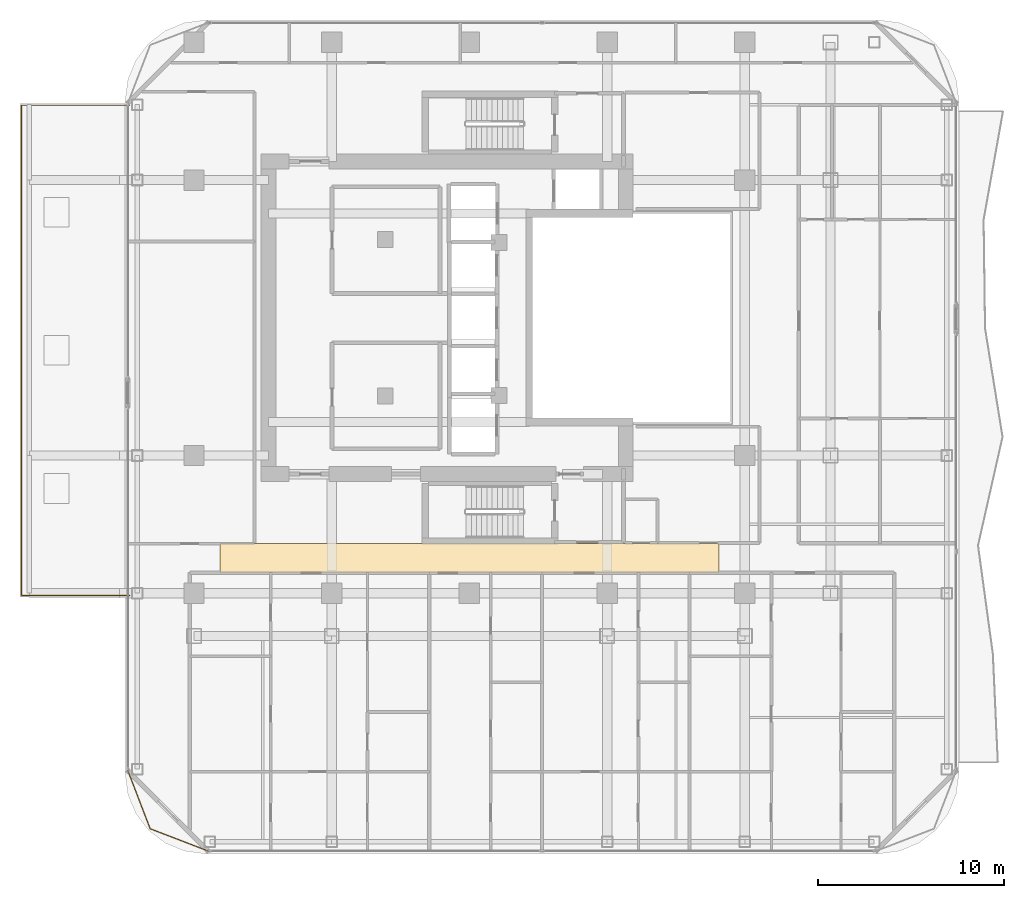
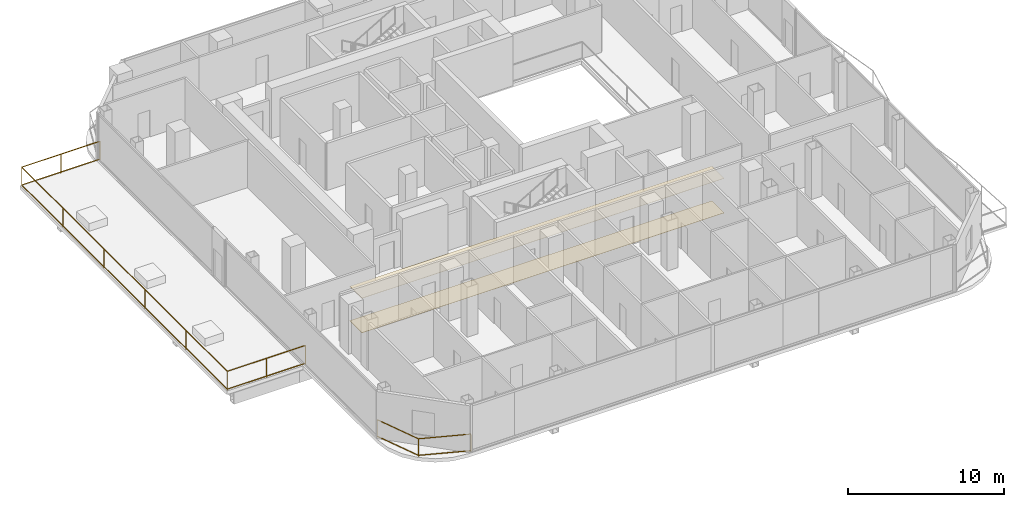
# One storey, part 24 of 26: 2 coverings, 2 railings.
"""IFC4 building model written with IfcOpenShell, lengths in metres."""

from ifc_helpers import new_model, si_unit, direction, frame, origin, origin_2d, place, context, subcontext, project, spatial, polyline, rectangle, outline, extrude, material, layer, layer_set, type_object, element, save


model = new_model("IFC4")

# Units and contexts
model_context = context("Model", 3, precision=1e-05, world=origin(), true_north=direction((0.0, 1.0)))
body_context = subcontext(model_context, "Body", "Model", "MODEL_VIEW")
ifc_project = project(units=[si_unit("LENGTHUNIT", "METRE"), si_unit("AREAUNIT", "SQUARE_METRE"), si_unit("VOLUMEUNIT", "CUBIC_METRE"), si_unit("PLANEANGLEUNIT", "RADIAN"), si_unit("MASSUNIT", "GRAM", prefix="KILO")], contexts=[model_context])

# Site, building, storey
site_placement = place(None, origin())
site = spatial("IfcSite", under=ifc_project, at=site_placement, CompositionType="ELEMENT")
building_placement = place(site_placement, origin())
building = spatial("IfcBuilding", under=site, at=building_placement, Name="Khorvyn Point Tower", CompositionType="ELEMENT")
storey_placement = place(building_placement, frame((0.0, 0.0, 219.60009765625)))
storey = spatial("IfcBuildingStorey", under=building, at=storey_placement, Name="L54", CompositionType="ELEMENT", Elevation=219.60009765625)

# Railing
ifc_material_1 = material(Name="Anodised aluminium 6063-T6 and laminated safety glass", Category="aluminium")
railing_type_1 = type_object("IfcRailingType", Name="Laminated Glass and Aluminium Balcony Guardrail 1400", PredefinedType="BALUSTRADE", material=ifc_material_1)
railing_1_placement = place(storey_placement, frame((-18.374267578125, -24.28125, 0.0)))
element("IfcRailing", 1, at=railing_1_placement, inside=storey, type_object=railing_type_1, Name="L54 Rounded Corner Edge Guardrail SW", PredefinedType="BALUSTRADE", context=body_context, shape_type="SweptSolid", body=[
    extrude(rectangle(XDim=0.048095703125, YDim=0.048095703125, at=origin_2d()), frame((0.0, 0.0, 1.3759765625), z_axis=(0.358343916815, -0.933589651443, 0.0), x_axis=(0.933589651443, 0.358343916815, 0.0)), (0.0, 0.0, 1.0), 3.400390625),
    extrude(rectangle(XDim=0.048095703125, YDim=0.048095703125, at=origin_2d()), frame((0.0, 0.0, 0.080078125), z_axis=(0.358343916815, -0.933589651443, 0.0), x_axis=(0.933589651443, 0.358343916815, 0.0)), (0.0, 0.0, 1.0), 3.400390625),
    extrude(rectangle(XDim=0.048095703125, YDim=0.048095703125, at=origin_2d()), frame((1.218505859375, -3.174560546875, 1.3759765625), z_axis=(0.933589651443, -0.358343916815, 0.0), x_axis=(0.358343916815, 0.933589651443, 0.0)), (0.0, 0.0, 1.0), 3.400390625),
    extrude(rectangle(XDim=0.048095703125, YDim=0.048095703125, at=origin_2d()), frame((1.218505859375, -3.174560546875, 0.080078125), z_axis=(0.933589651443, -0.358343916815, 0.0), x_axis=(0.358343916815, 0.933589651443, 0.0)), (0.0, 0.0, 1.0), 3.400390625),
    extrude(rectangle(XDim=0.0419921875, YDim=0.0419921875, at=origin_2d()), origin(), (0.0, 0.0, 1.0), 1.351806640625),
    extrude(rectangle(XDim=0.0419921875, YDim=0.0419921875, at=origin_2d()), frame((1.218505859375, -3.174560546875, 0.0)), (0.0, 0.0, 1.0), 1.351806640625),
    extrude(rectangle(XDim=0.0419921875, YDim=0.0419921875, at=origin_2d()), frame((4.39306640625, -4.39306640625, 0.0)), (0.0, 0.0, 1.0), 1.351806640625),
])

# Coverings
ifc_material_2 = material(Name="Mineral-fibre acoustic ceiling board", Category="gypsum")
ifc_layer_1 = layer(ifc_material_2, 0.02001953125)
ifc_layer_set_1 = layer_set([ifc_layer_1], Name="Perforated Mineral-Fibre Acoustic Suspended Ceiling 20")
covering_type_1 = type_object("IfcCoveringType", Name="Perforated Mineral-Fibre Acoustic Suspended Ceiling 20", PredefinedType="CEILING", material=ifc_layer_set_1)
covering_1_placement = place(storey_placement, frame((0.0, 0.0, 2.699951171875)))
element("IfcCovering", 2, at=covering_1_placement, inside=storey, type_object=covering_type_1, Name="L54 South Corridor Acoustic Ceiling", PredefinedType="CEILING", context=body_context, shape_type="SweptSolid", body=[
    extrude(outline(polyline([(-13.39990234375, -13.7099609375), (13.39990234375, -13.7099609375), (13.39990234375, -12.139892578125), (-13.39990234375, -12.139892578125), (-13.39990234375, -13.7099609375)])), origin(), (0.0, 0.0, 1.0), 0.02001953125),
])
ifc_material_3 = material(Name="Vitrified porcelain terrazzo tile", Category="ceramic")
ifc_layer_2 = layer(ifc_material_3, 0.01806640625)
ifc_layer_set_2 = layer_set([ifc_layer_2], Name="Porcelain Terrazzo Corridor Floor Finish Tile 18")
covering_type_2 = type_object("IfcCoveringType", Name="Porcelain Terrazzo Corridor Floor Finish Tile 18", PredefinedType="FLOORING", material=ifc_layer_set_2)
covering_2_placement = place(storey_placement, origin())
element("IfcCovering", 3, at=covering_2_placement, inside=storey, type_object=covering_type_2, Name="L54 South Corridor Terrazzo Flooring", PredefinedType="FLOORING", context=body_context, shape_type="SweptSolid", body=[
    extrude(outline(polyline([(-13.39990234375, -13.7099609375), (13.39990234375, -13.7099609375), (13.39990234375, -12.139892578125), (-13.39990234375, -12.139892578125), (-13.39990234375, -13.7099609375)])), origin(), (0.0, 0.0, 1.0), 0.017822265625),
])

# Railing
ifc_material_4 = material(Name="Stainless steel 1.4401", Category="steel")
railing_type_2 = type_object("IfcRailingType", Name="School Terrace Anti-Climb Safety Guardrail 1500", PredefinedType="GUARDRAIL", material=ifc_material_4)
railing_2_placement = place(storey_placement, frame((-18.27001953125, -14.919921875, 0.0)))
element("IfcRailing", 4, at=railing_2_placement, inside=storey, type_object=railing_type_2, Name="L54 Setback Terrace Guardrail", PredefinedType="GUARDRAIL", context=body_context, shape_type="SweptSolid", body=[
    extrude(rectangle(XDim=0.048095703125, YDim=0.048095703125, at=origin_2d()), frame((0.0, 0.0, 1.47607421875), z_axis=(-1.0, 0.0, 0.0), x_axis=(0.0, -1.0, 0.0)), (0.0, 0.0, 1.0), 5.800048828125),
    extrude(rectangle(XDim=0.048095703125, YDim=0.048095703125, at=origin_2d()), frame((0.0, 0.0, 0.080078125), z_axis=(-1.0, 0.0, 0.0), x_axis=(0.0, -1.0, 0.0)), (0.0, 0.0, 1.0), 5.800048828125),
    extrude(rectangle(XDim=0.048095703125, YDim=0.048095703125, at=origin_2d()), frame((-5.800048828125, 0.0, 1.47607421875), z_axis=(0.0, 1.0, 0.0), x_axis=(-1.0, 0.0, 0.0)), (0.0, 0.0, 1.0), 26.33984375),
    extrude(rectangle(XDim=0.048095703125, YDim=0.048095703125, at=origin_2d()), frame((-5.800048828125, 0.0, 0.080078125), z_axis=(0.0, 1.0, 0.0), x_axis=(-1.0, 0.0, 0.0)), (0.0, 0.0, 1.0), 26.33984375),
    extrude(rectangle(XDim=0.048095703125, YDim=0.048095703125, at=origin_2d()), frame((-5.800048828125, 26.33984375, 1.47607421875), z_axis=(1.0, 0.0, 0.0), x_axis=(0.0, 1.0, 0.0)), (0.0, 0.0, 1.0), 5.800048828125),
    extrude(rectangle(XDim=0.048095703125, YDim=0.048095703125, at=origin_2d()), frame((-5.800048828125, 26.33984375, 0.080078125), z_axis=(1.0, 0.0, 0.0), x_axis=(0.0, 1.0, 0.0)), (0.0, 0.0, 1.0), 5.800048828125),
    extrude(rectangle(XDim=0.0419921875, YDim=0.0419921875, at=origin_2d()), origin(), (0.0, 0.0, 1.0), 1.451904296875),
    extrude(rectangle(XDim=0.0419921875, YDim=0.0419921875, at=origin_2d()), frame((-2.89990234375, 0.0, 0.0)), (0.0, 0.0, 1.0), 1.451904296875),
    extrude(rectangle(XDim=0.0419921875, YDim=0.0419921875, at=origin_2d()), frame((-5.800048828125, 0.0, 0.0)), (0.0, 0.0, 1.0), 1.451904296875),
    extrude(rectangle(XDim=0.0419921875, YDim=0.0419921875, at=origin_2d()), frame((-5.800048828125, 5.26806640625, 0.0)), (0.0, 0.0, 1.0), 1.451904296875),
    extrude(rectangle(XDim=0.0419921875, YDim=0.0419921875, at=origin_2d()), frame((-5.800048828125, 10.535888671875, 0.0)), (0.0, 0.0, 1.0), 1.451904296875),
    extrude(rectangle(XDim=0.0419921875, YDim=0.0419921875, at=origin_2d()), frame((-5.800048828125, 15.803955078125, 0.0)), (0.0, 0.0, 1.0), 1.451904296875),
    extrude(rectangle(XDim=0.0419921875, YDim=0.0419921875, at=origin_2d()), frame((-5.800048828125, 21.07177734375, 0.0)), (0.0, 0.0, 1.0), 1.451904296875),
    extrude(rectangle(XDim=0.0419921875, YDim=0.0419921875, at=origin_2d()), frame((-5.800048828125, 26.33984375, 0.0)), (0.0, 0.0, 1.0), 1.451904296875),
    extrude(rectangle(XDim=0.0419921875, YDim=0.0419921875, at=origin_2d()), frame((-2.89990234375, 26.33984375, 0.0)), (0.0, 0.0, 1.0), 1.451904296875),
    extrude(rectangle(XDim=0.0419921875, YDim=0.0419921875, at=origin_2d()), frame((0.0, 26.33984375, 0.0)), (0.0, 0.0, 1.0), 1.451904296875),
])

save(model, "model.ifc")
